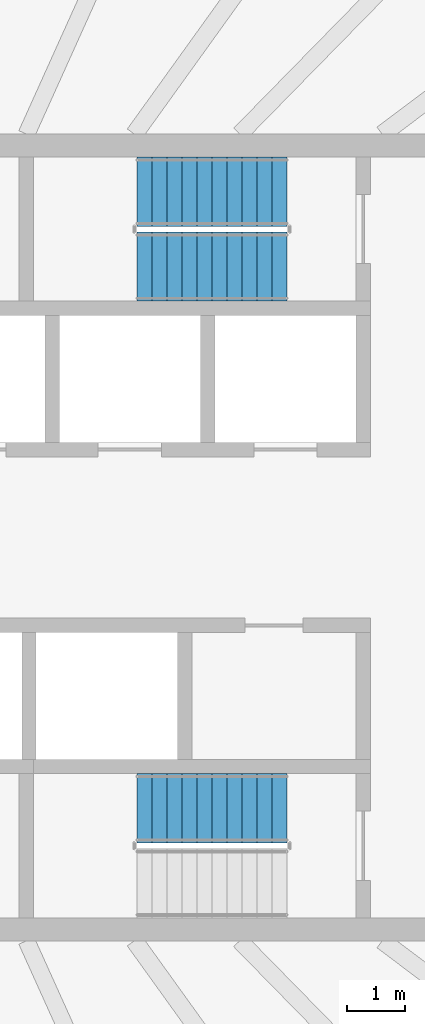
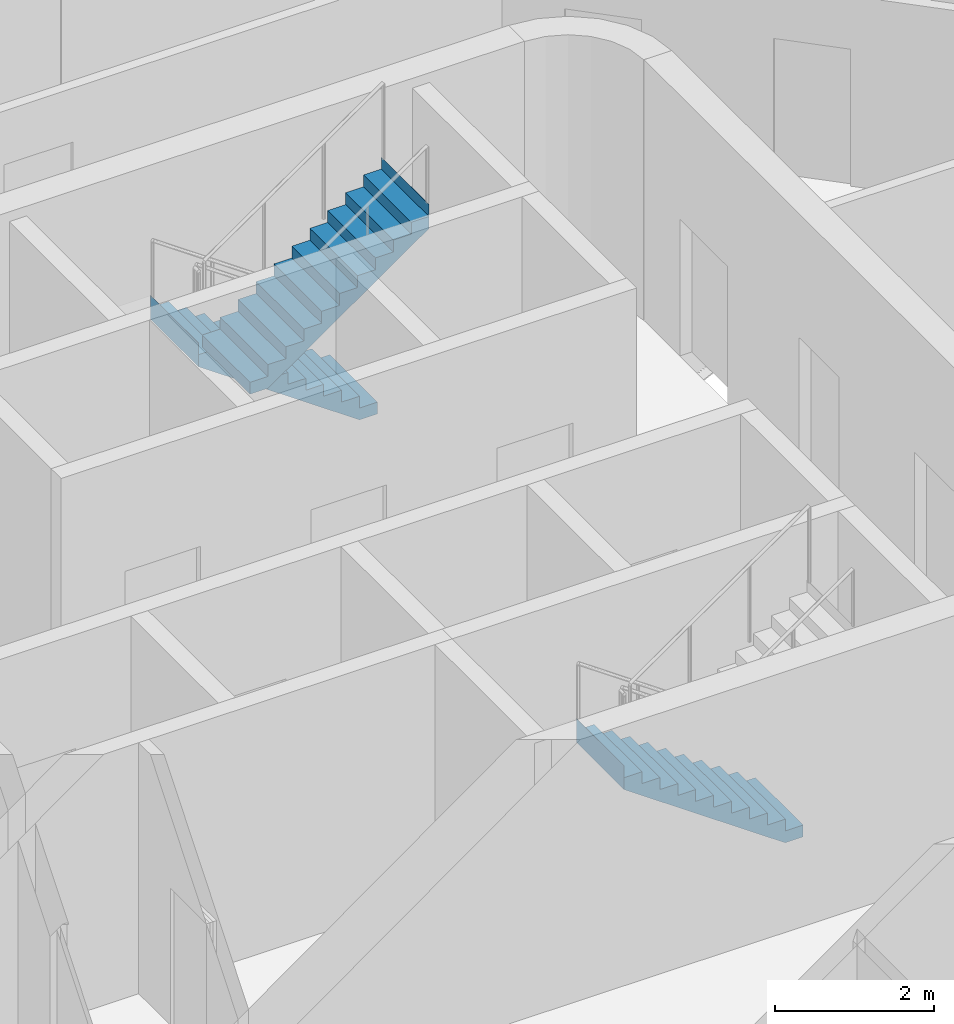
# One storey, part 14 of 21: 3 stair flights, 2 elements without a shape of their own.
"""IFC4 building model written with IfcOpenShell, lengths in metres."""

from ifc_helpers import new_model, si_unit, direction, frame, origin, place, context, subcontext, project, spatial, triangles, material, type_object, element, aggregate, save


model = new_model("IFC4")

# Units and contexts
model_context = context("Model", 3, precision=1e-05, world=origin(), true_north=direction((0.0, 1.0)))
body_context = subcontext(model_context, "Body", "Model", "MODEL_VIEW")
ifc_project = project(units=[si_unit("LENGTHUNIT", "METRE"), si_unit("AREAUNIT", "SQUARE_METRE"), si_unit("VOLUMEUNIT", "CUBIC_METRE"), si_unit("PLANEANGLEUNIT", "RADIAN"), si_unit("MASSUNIT", "GRAM", prefix="KILO")], contexts=[model_context])

# Site, building, storey
site_placement = place(None, origin())
site = spatial("IfcSite", under=ifc_project, at=site_placement, CompositionType="ELEMENT")
building_placement = place(site_placement, origin())
building = spatial("IfcBuilding", under=site, at=building_placement, Name="Sahrelin Media Tower", CompositionType="ELEMENT")
storey_placement = place(building_placement, frame((0.0, 0.0, 259.0)))
storey = spatial("IfcBuildingStorey", under=building, at=storey_placement, Name="L56", CompositionType="ELEMENT", Elevation=259.0)

# Stair, stair flights
ifc_material = material(Name="Concrete C40/50", Category="concrete")
stair_type = type_object("IfcStairType", Name="Exit stair 1200", PredefinedType="HALF_TURN_STAIR", material=ifc_material)
placement = place(storey_placement, origin())
stair_1 = element("IfcStair", 1, at=placement, inside=storey, type_object=stair_type, Name="L56 Exit stair ST3", PredefinedType="HALF_TURN_STAIR")
stair_flight_type = type_object("IfcStairFlightType", Name="Stair flight 1200", PredefinedType="STRAIGHT", material=ifc_material)
stair_flight_1_placement = place(storey_placement, frame((7.675048828125, 6.0, 0.0), z_axis=(0.0, 0.0, 1.0), x_axis=(-1.0, 0.0, 0.0)))
stair_flight_1 = element("IfcStairFlight", 2, at=stair_flight_1_placement, type_object=stair_flight_type, Name="ST3 flight 1", NumberOfRisers=11, NumberOfTreads=10, PredefinedType="STRAIGHT", RiserHeight=0.181818182, TreadLength=0.26, context=body_context, shape_type="Tessellation", body=[
    triangles([(0.261474609375, 0.60009765625, 0.0), (0.261474609375, 0.300048828125, 0.0), (0.261474609375, 0.0, 0.0), (0.261474609375, -0.300048828125, 0.0), (0.261474609375, -0.60009765625, 0.0), (2.60009765625, 0.60009765625, 1.63525390625), (2.60009765625, 0.300048828125, 1.63525390625), (2.60009765625, 0.0, 1.63525390625), (2.60009765625, -0.300048828125, 1.63525390625), (2.60009765625, -0.60009765625, 1.63525390625), (2.60009765625, 0.60009765625, 2.0), (2.60009765625, 0.300048828125, 2.0), (2.60009765625, 0.0, 2.0), (2.60009765625, -0.300048828125, 2.0), (2.60009765625, -0.60009765625, 2.0), (2.597900390625, 0.60009765625, 2.0), (2.597900390625, 0.300048828125, 2.0), (2.597900390625, 0.0, 2.0), (2.597900390625, -0.300048828125, 2.0), (2.597900390625, -0.60009765625, 2.0), (2.597900390625, 0.60009765625, 1.818115234375), (2.597900390625, 0.300048828125, 1.818115234375), (2.597900390625, 0.0, 1.818115234375), (2.597900390625, -0.300048828125, 1.818115234375), (2.597900390625, -0.60009765625, 1.818115234375), (2.340087890625, 0.60009765625, 1.818115234375), (2.340087890625, 0.300048828125, 1.818115234375), (2.340087890625, 0.0, 1.818115234375), (2.340087890625, -0.300048828125, 1.818115234375), (2.340087890625, -0.60009765625, 1.818115234375), (2.340087890625, 0.60009765625, 1.636474609375), (2.340087890625, 0.300048828125, 1.636474609375), (2.340087890625, 0.0, 1.636474609375), (2.340087890625, -0.300048828125, 1.636474609375), (2.340087890625, -0.60009765625, 1.636474609375), (2.080078125, 0.60009765625, 1.636474609375), (2.080078125, 0.300048828125, 1.636474609375), (2.080078125, 0.0, 1.636474609375), (2.080078125, -0.300048828125, 1.636474609375), (2.080078125, -0.60009765625, 1.636474609375), (2.080078125, 0.60009765625, 1.45458984375), (2.080078125, 0.300048828125, 1.45458984375), (2.080078125, 0.0, 1.45458984375), (2.080078125, -0.300048828125, 1.45458984375), (2.080078125, -0.60009765625, 1.45458984375), (1.820068359375, 0.60009765625, 1.45458984375), (1.820068359375, 0.300048828125, 1.45458984375), (1.820068359375, 0.0, 1.45458984375), (1.820068359375, -0.300048828125, 1.45458984375), (1.820068359375, -0.60009765625, 1.45458984375), (1.820068359375, 0.60009765625, 1.272705078125), (1.820068359375, 0.300048828125, 1.272705078125), (1.820068359375, 0.0, 1.272705078125), (1.820068359375, -0.300048828125, 1.272705078125), (1.820068359375, -0.60009765625, 1.272705078125), (1.56005859375, 0.60009765625, 1.272705078125), (1.56005859375, 0.300048828125, 1.272705078125), (1.56005859375, 0.0, 1.272705078125), (1.56005859375, -0.300048828125, 1.272705078125), (1.56005859375, -0.60009765625, 1.272705078125), (1.56005859375, 0.60009765625, 1.0908203125), (1.56005859375, 0.300048828125, 1.0908203125), (1.56005859375, 0.0, 1.0908203125), (1.56005859375, -0.300048828125, 1.0908203125), (1.56005859375, -0.60009765625, 1.0908203125), (1.300048828125, 0.60009765625, 1.0908203125), (1.300048828125, 0.300048828125, 1.0908203125), (1.300048828125, 0.0, 1.0908203125), (1.300048828125, -0.300048828125, 1.0908203125), (1.300048828125, -0.60009765625, 1.0908203125), (1.300048828125, 0.60009765625, 0.9091796875), (1.300048828125, 0.300048828125, 0.9091796875), (1.300048828125, 0.0, 0.9091796875), (1.300048828125, -0.300048828125, 0.9091796875), (1.300048828125, -0.60009765625, 0.9091796875), (1.0400390625, 0.60009765625, 0.9091796875), (1.0400390625, 0.300048828125, 0.9091796875), (1.0400390625, 0.0, 0.9091796875), (1.0400390625, -0.300048828125, 0.9091796875), (1.0400390625, -0.60009765625, 0.9091796875), (1.0400390625, 0.60009765625, 0.727294921875), (1.0400390625, 0.300048828125, 0.727294921875), (1.0400390625, 0.0, 0.727294921875), (1.0400390625, -0.300048828125, 0.727294921875), (1.0400390625, -0.60009765625, 0.727294921875), (0.780029296875, 0.60009765625, 0.727294921875), (0.780029296875, 0.300048828125, 0.727294921875), (0.780029296875, 0.0, 0.727294921875), (0.780029296875, -0.300048828125, 0.727294921875), (0.780029296875, -0.60009765625, 0.727294921875), (0.780029296875, 0.60009765625, 0.54541015625), (0.780029296875, 0.300048828125, 0.54541015625), (0.780029296875, 0.0, 0.54541015625), (0.780029296875, -0.300048828125, 0.54541015625), (0.780029296875, -0.60009765625, 0.54541015625), (0.52001953125, 0.60009765625, 0.54541015625), (0.52001953125, 0.300048828125, 0.54541015625), (0.52001953125, 0.0, 0.54541015625), (0.52001953125, -0.300048828125, 0.54541015625), (0.52001953125, -0.60009765625, 0.54541015625), (0.52001953125, 0.60009765625, 0.363525390625), (0.52001953125, 0.300048828125, 0.363525390625), (0.52001953125, 0.0, 0.363525390625), (0.52001953125, -0.300048828125, 0.363525390625), (0.52001953125, -0.60009765625, 0.363525390625), (0.260009765625, 0.60009765625, 0.363525390625), (0.260009765625, 0.300048828125, 0.363525390625), (0.260009765625, 0.0, 0.363525390625), (0.260009765625, -0.300048828125, 0.363525390625), (0.260009765625, -0.60009765625, 0.363525390625), (0.260009765625, 0.60009765625, 0.181884765625), (0.260009765625, 0.300048828125, 0.181884765625), (0.260009765625, 0.0, 0.181884765625), (0.260009765625, -0.300048828125, 0.181884765625), (0.260009765625, -0.60009765625, 0.181884765625), (0.0, 0.60009765625, 0.181884765625), (0.0, 0.300048828125, 0.181884765625), (0.0, 0.0, 0.181884765625), (0.0, -0.300048828125, 0.181884765625), (0.0, -0.60009765625, 0.181884765625), (0.0, 0.60009765625, 0.0), (0.0, 0.300048828125, 0.0), (0.0, 0.0, 0.0), (0.0, -0.300048828125, 0.0), (0.0, -0.60009765625, 0.0)], [[1, 6, 7], [1, 7, 2], [2, 7, 8], [2, 8, 3], [3, 8, 9], [3, 9, 4], [4, 9, 10], [4, 10, 5], [6, 11, 12], [6, 12, 7], [7, 12, 13], [7, 13, 8], [8, 13, 14], [8, 14, 9], [9, 14, 15], [9, 15, 10], [11, 16, 17], [11, 17, 12], [12, 17, 18], [12, 18, 13], [13, 18, 19], [13, 19, 14], [14, 19, 20], [14, 20, 15], [16, 21, 22], [16, 22, 17], [17, 22, 23], [17, 23, 18], [18, 23, 24], [18, 24, 19], [19, 24, 25], [19, 25, 20], [21, 26, 27], [21, 27, 22], [22, 27, 28], [22, 28, 23], [23, 28, 29], [23, 29, 24], [24, 29, 30], [24, 30, 25], [26, 31, 32], [26, 32, 27], [27, 32, 33], [27, 33, 28], [28, 33, 34], [28, 34, 29], [29, 34, 35], [29, 35, 30], [31, 36, 37], [31, 37, 32], [32, 37, 38], [32, 38, 33], [33, 38, 39], [33, 39, 34], [34, 39, 40], [34, 40, 35], [36, 41, 42], [36, 42, 37], [37, 42, 43], [37, 43, 38], [38, 43, 44], [38, 44, 39], [39, 44, 45], [39, 45, 40], [41, 46, 47], [41, 47, 42], [42, 47, 48], [42, 48, 43], [43, 48, 49], [43, 49, 44], [44, 49, 50], [44, 50, 45], [46, 51, 52], [46, 52, 47], [47, 52, 53], [47, 53, 48], [48, 53, 54], [48, 54, 49], [49, 54, 55], [49, 55, 50], [51, 56, 57], [51, 57, 52], [52, 57, 58], [52, 58, 53], [53, 58, 59], [53, 59, 54], [54, 59, 60], [54, 60, 55], [56, 61, 62], [56, 62, 57], [57, 62, 63], [57, 63, 58], [58, 63, 64], [58, 64, 59], [59, 64, 65], [59, 65, 60], [61, 66, 67], [61, 67, 62], [62, 67, 68], [62, 68, 63], [63, 68, 69], [63, 69, 64], [64, 69, 70], [64, 70, 65], [66, 71, 72], [66, 72, 67], [67, 72, 73], [67, 73, 68], [68, 73, 74], [68, 74, 69], [69, 74, 75], [69, 75, 70], [71, 76, 77], [71, 77, 72], [72, 77, 78], [72, 78, 73], [73, 78, 79], [73, 79, 74], [74, 79, 80], [74, 80, 75], [76, 81, 82], [76, 82, 77], [77, 82, 83], [77, 83, 78], [78, 83, 84], [78, 84, 79], [79, 84, 85], [79, 85, 80], [81, 86, 87], [81, 87, 82], [82, 87, 88], [82, 88, 83], [83, 88, 89], [83, 89, 84], [84, 89, 90], [84, 90, 85], [86, 91, 92], [86, 92, 87], [87, 92, 93], [87, 93, 88], [88, 93, 94], [88, 94, 89], [89, 94, 95], [89, 95, 90], [91, 96, 97], [91, 97, 92], [92, 97, 98], [92, 98, 93], [93, 98, 99], [93, 99, 94], [94, 99, 100], [94, 100, 95], [96, 101, 102], [96, 102, 97], [97, 102, 103], [97, 103, 98], [98, 103, 104], [98, 104, 99], [99, 104, 105], [99, 105, 100], [101, 106, 107], [101, 107, 102], [102, 107, 108], [102, 108, 103], [103, 108, 109], [103, 109, 104], [104, 109, 110], [104, 110, 105], [106, 111, 112], [106, 112, 107], [107, 112, 113], [107, 113, 108], [108, 113, 114], [108, 114, 109], [109, 114, 115], [109, 115, 110], [111, 116, 117], [111, 117, 112], [112, 117, 118], [112, 118, 113], [113, 118, 119], [113, 119, 114], [114, 119, 120], [114, 120, 115], [116, 121, 122], [116, 122, 117], [117, 122, 123], [117, 123, 118], [118, 123, 124], [118, 124, 119], [119, 124, 125], [119, 125, 120], [121, 1, 2], [121, 2, 122], [122, 2, 3], [122, 3, 123], [123, 3, 4], [123, 4, 124], [124, 4, 5], [124, 5, 125], [115, 120, 125], [111, 121, 116], [115, 105, 110], [111, 106, 101], [105, 95, 100], [101, 96, 91], [95, 85, 90], [91, 86, 81], [85, 75, 80], [81, 76, 71], [75, 65, 70], [71, 66, 61], [65, 55, 60], [61, 56, 51], [55, 45, 50], [51, 46, 41], [45, 35, 40], [41, 36, 31], [35, 25, 30], [31, 26, 21], [25, 15, 20], [21, 16, 11], [125, 5, 115], [121, 111, 1], [25, 10, 15], [21, 11, 6], [105, 115, 5], [101, 1, 111], [35, 10, 25], [31, 21, 6], [95, 105, 5], [91, 1, 101], [45, 10, 35], [41, 31, 6], [85, 95, 5], [81, 1, 91], [55, 10, 45], [51, 41, 6], [75, 85, 5], [71, 1, 81], [65, 10, 55], [61, 51, 6], [5, 10, 75], [1, 71, 6], [75, 10, 65], [71, 61, 6]], closed=True),
])
stair_flight_2_placement = place(storey_placement, frame((5.074951171875, 4.699951171875, 2.0), z_axis=(0.0, 0.0, 1.0), x_axis=(1.0, 0.0, 0.0)))
stair_flight_2 = element("IfcStairFlight", 3, at=stair_flight_2_placement, type_object=stair_flight_type, Name="ST3 flight 2", NumberOfRisers=11, NumberOfTreads=10, PredefinedType="STRAIGHT", RiserHeight=0.181818182, TreadLength=0.26, context=body_context, shape_type="Tessellation", body=[
    triangles([(0.261474609375, 0.60009765625, 0.0), (0.261474609375, 0.300048828125, 0.0), (0.261474609375, 0.0, 0.0), (0.261474609375, -0.300048828125, 0.0), (0.261474609375, -0.60009765625, 0.0), (2.60009765625, 0.60009765625, 1.63525390625), (2.60009765625, 0.300048828125, 1.63525390625), (2.60009765625, 0.0, 1.63525390625), (2.60009765625, -0.300048828125, 1.63525390625), (2.60009765625, -0.60009765625, 1.63525390625), (2.60009765625, 0.60009765625, 2.0), (2.60009765625, 0.300048828125, 2.0), (2.60009765625, 0.0, 2.0), (2.60009765625, -0.300048828125, 2.0), (2.60009765625, -0.60009765625, 2.0), (2.597900390625, 0.60009765625, 2.0), (2.597900390625, 0.300048828125, 2.0), (2.597900390625, 0.0, 2.0), (2.597900390625, -0.300048828125, 2.0), (2.597900390625, -0.60009765625, 2.0), (2.597900390625, 0.60009765625, 1.818115234375), (2.597900390625, 0.300048828125, 1.818115234375), (2.597900390625, 0.0, 1.818115234375), (2.597900390625, -0.300048828125, 1.818115234375), (2.597900390625, -0.60009765625, 1.818115234375), (2.340087890625, 0.60009765625, 1.818115234375), (2.340087890625, 0.300048828125, 1.818115234375), (2.340087890625, 0.0, 1.818115234375), (2.340087890625, -0.300048828125, 1.818115234375), (2.340087890625, -0.60009765625, 1.818115234375), (2.340087890625, 0.60009765625, 1.636474609375), (2.340087890625, 0.300048828125, 1.636474609375), (2.340087890625, 0.0, 1.636474609375), (2.340087890625, -0.300048828125, 1.636474609375), (2.340087890625, -0.60009765625, 1.636474609375), (2.080078125, 0.60009765625, 1.636474609375), (2.080078125, 0.300048828125, 1.636474609375), (2.080078125, 0.0, 1.636474609375), (2.080078125, -0.300048828125, 1.636474609375), (2.080078125, -0.60009765625, 1.636474609375), (2.080078125, 0.60009765625, 1.45458984375), (2.080078125, 0.300048828125, 1.45458984375), (2.080078125, 0.0, 1.45458984375), (2.080078125, -0.300048828125, 1.45458984375), (2.080078125, -0.60009765625, 1.45458984375), (1.820068359375, 0.60009765625, 1.45458984375), (1.820068359375, 0.300048828125, 1.45458984375), (1.820068359375, 0.0, 1.45458984375), (1.820068359375, -0.300048828125, 1.45458984375), (1.820068359375, -0.60009765625, 1.45458984375), (1.820068359375, 0.60009765625, 1.272705078125), (1.820068359375, 0.300048828125, 1.272705078125), (1.820068359375, 0.0, 1.272705078125), (1.820068359375, -0.300048828125, 1.272705078125), (1.820068359375, -0.60009765625, 1.272705078125), (1.56005859375, 0.60009765625, 1.272705078125), (1.56005859375, 0.300048828125, 1.272705078125), (1.56005859375, 0.0, 1.272705078125), (1.56005859375, -0.300048828125, 1.272705078125), (1.56005859375, -0.60009765625, 1.272705078125), (1.56005859375, 0.60009765625, 1.0908203125), (1.56005859375, 0.300048828125, 1.0908203125), (1.56005859375, 0.0, 1.0908203125), (1.56005859375, -0.300048828125, 1.0908203125), (1.56005859375, -0.60009765625, 1.0908203125), (1.300048828125, 0.60009765625, 1.0908203125), (1.300048828125, 0.300048828125, 1.0908203125), (1.300048828125, 0.0, 1.0908203125), (1.300048828125, -0.300048828125, 1.0908203125), (1.300048828125, -0.60009765625, 1.0908203125), (1.300048828125, 0.60009765625, 0.9091796875), (1.300048828125, 0.300048828125, 0.9091796875), (1.300048828125, 0.0, 0.9091796875), (1.300048828125, -0.300048828125, 0.9091796875), (1.300048828125, -0.60009765625, 0.9091796875), (1.0400390625, 0.60009765625, 0.9091796875), (1.0400390625, 0.300048828125, 0.9091796875), (1.0400390625, 0.0, 0.9091796875), (1.0400390625, -0.300048828125, 0.9091796875), (1.0400390625, -0.60009765625, 0.9091796875), (1.0400390625, 0.60009765625, 0.727294921875), (1.0400390625, 0.300048828125, 0.727294921875), (1.0400390625, 0.0, 0.727294921875), (1.0400390625, -0.300048828125, 0.727294921875), (1.0400390625, -0.60009765625, 0.727294921875), (0.780029296875, 0.60009765625, 0.727294921875), (0.780029296875, 0.300048828125, 0.727294921875), (0.780029296875, 0.0, 0.727294921875), (0.780029296875, -0.300048828125, 0.727294921875), (0.780029296875, -0.60009765625, 0.727294921875), (0.780029296875, 0.60009765625, 0.54541015625), (0.780029296875, 0.300048828125, 0.54541015625), (0.780029296875, 0.0, 0.54541015625), (0.780029296875, -0.300048828125, 0.54541015625), (0.780029296875, -0.60009765625, 0.54541015625), (0.52001953125, 0.60009765625, 0.54541015625), (0.52001953125, 0.300048828125, 0.54541015625), (0.52001953125, 0.0, 0.54541015625), (0.52001953125, -0.300048828125, 0.54541015625), (0.52001953125, -0.60009765625, 0.54541015625), (0.52001953125, 0.60009765625, 0.363525390625), (0.52001953125, 0.300048828125, 0.363525390625), (0.52001953125, 0.0, 0.363525390625), (0.52001953125, -0.300048828125, 0.363525390625), (0.52001953125, -0.60009765625, 0.363525390625), (0.260009765625, 0.60009765625, 0.363525390625), (0.260009765625, 0.300048828125, 0.363525390625), (0.260009765625, 0.0, 0.363525390625), (0.260009765625, -0.300048828125, 0.363525390625), (0.260009765625, -0.60009765625, 0.363525390625), (0.260009765625, 0.60009765625, 0.181884765625), (0.260009765625, 0.300048828125, 0.181884765625), (0.260009765625, 0.0, 0.181884765625), (0.260009765625, -0.300048828125, 0.181884765625), (0.260009765625, -0.60009765625, 0.181884765625), (0.0, 0.60009765625, 0.181884765625), (0.0, 0.300048828125, 0.181884765625), (0.0, 0.0, 0.181884765625), (0.0, -0.300048828125, 0.181884765625), (0.0, -0.60009765625, 0.181884765625), (0.0, 0.60009765625, 0.0), (0.0, 0.300048828125, 0.0), (0.0, 0.0, 0.0), (0.0, -0.300048828125, 0.0), (0.0, -0.60009765625, 0.0)], [[1, 6, 7], [1, 7, 2], [2, 7, 8], [2, 8, 3], [3, 8, 9], [3, 9, 4], [4, 9, 10], [4, 10, 5], [6, 11, 12], [6, 12, 7], [7, 12, 13], [7, 13, 8], [8, 13, 14], [8, 14, 9], [9, 14, 15], [9, 15, 10], [11, 16, 17], [11, 17, 12], [12, 17, 18], [12, 18, 13], [13, 18, 19], [13, 19, 14], [14, 19, 20], [14, 20, 15], [16, 21, 22], [16, 22, 17], [17, 22, 23], [17, 23, 18], [18, 23, 24], [18, 24, 19], [19, 24, 25], [19, 25, 20], [21, 26, 27], [21, 27, 22], [22, 27, 28], [22, 28, 23], [23, 28, 29], [23, 29, 24], [24, 29, 30], [24, 30, 25], [26, 31, 32], [26, 32, 27], [27, 32, 33], [27, 33, 28], [28, 33, 34], [28, 34, 29], [29, 34, 35], [29, 35, 30], [31, 36, 37], [31, 37, 32], [32, 37, 38], [32, 38, 33], [33, 38, 39], [33, 39, 34], [34, 39, 40], [34, 40, 35], [36, 41, 42], [36, 42, 37], [37, 42, 43], [37, 43, 38], [38, 43, 44], [38, 44, 39], [39, 44, 45], [39, 45, 40], [41, 46, 47], [41, 47, 42], [42, 47, 48], [42, 48, 43], [43, 48, 49], [43, 49, 44], [44, 49, 50], [44, 50, 45], [46, 51, 52], [46, 52, 47], [47, 52, 53], [47, 53, 48], [48, 53, 54], [48, 54, 49], [49, 54, 55], [49, 55, 50], [51, 56, 57], [51, 57, 52], [52, 57, 58], [52, 58, 53], [53, 58, 59], [53, 59, 54], [54, 59, 60], [54, 60, 55], [56, 61, 62], [56, 62, 57], [57, 62, 63], [57, 63, 58], [58, 63, 64], [58, 64, 59], [59, 64, 65], [59, 65, 60], [61, 66, 67], [61, 67, 62], [62, 67, 68], [62, 68, 63], [63, 68, 69], [63, 69, 64], [64, 69, 70], [64, 70, 65], [66, 71, 72], [66, 72, 67], [67, 72, 73], [67, 73, 68], [68, 73, 74], [68, 74, 69], [69, 74, 75], [69, 75, 70], [71, 76, 77], [71, 77, 72], [72, 77, 78], [72, 78, 73], [73, 78, 79], [73, 79, 74], [74, 79, 80], [74, 80, 75], [76, 81, 82], [76, 82, 77], [77, 82, 83], [77, 83, 78], [78, 83, 84], [78, 84, 79], [79, 84, 85], [79, 85, 80], [81, 86, 87], [81, 87, 82], [82, 87, 88], [82, 88, 83], [83, 88, 89], [83, 89, 84], [84, 89, 90], [84, 90, 85], [86, 91, 92], [86, 92, 87], [87, 92, 93], [87, 93, 88], [88, 93, 94], [88, 94, 89], [89, 94, 95], [89, 95, 90], [91, 96, 97], [91, 97, 92], [92, 97, 98], [92, 98, 93], [93, 98, 99], [93, 99, 94], [94, 99, 100], [94, 100, 95], [96, 101, 102], [96, 102, 97], [97, 102, 103], [97, 103, 98], [98, 103, 104], [98, 104, 99], [99, 104, 105], [99, 105, 100], [101, 106, 107], [101, 107, 102], [102, 107, 108], [102, 108, 103], [103, 108, 109], [103, 109, 104], [104, 109, 110], [104, 110, 105], [106, 111, 112], [106, 112, 107], [107, 112, 113], [107, 113, 108], [108, 113, 114], [108, 114, 109], [109, 114, 115], [109, 115, 110], [111, 116, 117], [111, 117, 112], [112, 117, 118], [112, 118, 113], [113, 118, 119], [113, 119, 114], [114, 119, 120], [114, 120, 115], [116, 121, 122], [116, 122, 117], [117, 122, 123], [117, 123, 118], [118, 123, 124], [118, 124, 119], [119, 124, 125], [119, 125, 120], [121, 1, 2], [121, 2, 122], [122, 2, 3], [122, 3, 123], [123, 3, 4], [123, 4, 124], [124, 4, 5], [124, 5, 125], [115, 120, 125], [111, 121, 116], [115, 105, 110], [111, 106, 101], [105, 95, 100], [101, 96, 91], [95, 85, 90], [91, 86, 81], [85, 75, 80], [81, 76, 71], [75, 65, 70], [71, 66, 61], [65, 55, 60], [61, 56, 51], [55, 45, 50], [51, 46, 41], [45, 35, 40], [41, 36, 31], [35, 25, 30], [31, 26, 21], [25, 15, 20], [21, 16, 11], [125, 5, 115], [121, 111, 1], [25, 10, 15], [21, 11, 6], [105, 115, 5], [101, 1, 111], [35, 10, 25], [31, 21, 6], [95, 105, 5], [91, 1, 101], [45, 10, 35], [41, 31, 6], [85, 95, 5], [81, 1, 91], [55, 10, 45], [51, 41, 6], [75, 85, 5], [71, 1, 81], [65, 10, 55], [61, 51, 6], [5, 10, 75], [1, 71, 6], [75, 10, 65], [71, 61, 6]], closed=True),
])
aggregate(stair_1, [stair_flight_1, stair_flight_2])

# Stair, stair flight
stair_2 = element("IfcStair", 4, at=placement, inside=storey, type_object=stair_type, Name="L56 Exit stair ST2", PredefinedType="HALF_TURN_STAIR")
stair_flight_3_placement = place(storey_placement, frame((7.675048828125, -4.699951171875, 0.0), z_axis=(0.0, 0.0, 1.0), x_axis=(-1.0, 0.0, 0.0)))
stair_flight_3 = element("IfcStairFlight", 5, at=stair_flight_3_placement, type_object=stair_flight_type, Name="ST2 flight 1", NumberOfRisers=11, NumberOfTreads=10, PredefinedType="STRAIGHT", RiserHeight=0.181818182, TreadLength=0.26, context=body_context, shape_type="Tessellation", body=[
    triangles([(0.261474609375, 0.60009765625, 0.0), (0.261474609375, 0.300048828125, 0.0), (0.261474609375, 0.0, 0.0), (0.261474609375, -0.300048828125, 0.0), (0.261474609375, -0.60009765625, 0.0), (2.60009765625, 0.60009765625, 1.63525390625), (2.60009765625, 0.300048828125, 1.63525390625), (2.60009765625, 0.0, 1.63525390625), (2.60009765625, -0.300048828125, 1.63525390625), (2.60009765625, -0.60009765625, 1.63525390625), (2.60009765625, 0.60009765625, 2.0), (2.60009765625, 0.300048828125, 2.0), (2.60009765625, 0.0, 2.0), (2.60009765625, -0.300048828125, 2.0), (2.60009765625, -0.60009765625, 2.0), (2.597900390625, 0.60009765625, 2.0), (2.597900390625, 0.300048828125, 2.0), (2.597900390625, 0.0, 2.0), (2.597900390625, -0.300048828125, 2.0), (2.597900390625, -0.60009765625, 2.0), (2.597900390625, 0.60009765625, 1.818115234375), (2.597900390625, 0.300048828125, 1.818115234375), (2.597900390625, 0.0, 1.818115234375), (2.597900390625, -0.300048828125, 1.818115234375), (2.597900390625, -0.60009765625, 1.818115234375), (2.340087890625, 0.60009765625, 1.818115234375), (2.340087890625, 0.300048828125, 1.818115234375), (2.340087890625, 0.0, 1.818115234375), (2.340087890625, -0.300048828125, 1.818115234375), (2.340087890625, -0.60009765625, 1.818115234375), (2.340087890625, 0.60009765625, 1.636474609375), (2.340087890625, 0.300048828125, 1.636474609375), (2.340087890625, 0.0, 1.636474609375), (2.340087890625, -0.300048828125, 1.636474609375), (2.340087890625, -0.60009765625, 1.636474609375), (2.080078125, 0.60009765625, 1.636474609375), (2.080078125, 0.300048828125, 1.636474609375), (2.080078125, 0.0, 1.636474609375), (2.080078125, -0.300048828125, 1.636474609375), (2.080078125, -0.60009765625, 1.636474609375), (2.080078125, 0.60009765625, 1.45458984375), (2.080078125, 0.300048828125, 1.45458984375), (2.080078125, 0.0, 1.45458984375), (2.080078125, -0.300048828125, 1.45458984375), (2.080078125, -0.60009765625, 1.45458984375), (1.820068359375, 0.60009765625, 1.45458984375), (1.820068359375, 0.300048828125, 1.45458984375), (1.820068359375, 0.0, 1.45458984375), (1.820068359375, -0.300048828125, 1.45458984375), (1.820068359375, -0.60009765625, 1.45458984375), (1.820068359375, 0.60009765625, 1.272705078125), (1.820068359375, 0.300048828125, 1.272705078125), (1.820068359375, 0.0, 1.272705078125), (1.820068359375, -0.300048828125, 1.272705078125), (1.820068359375, -0.60009765625, 1.272705078125), (1.56005859375, 0.60009765625, 1.272705078125), (1.56005859375, 0.300048828125, 1.272705078125), (1.56005859375, 0.0, 1.272705078125), (1.56005859375, -0.300048828125, 1.272705078125), (1.56005859375, -0.60009765625, 1.272705078125), (1.56005859375, 0.60009765625, 1.0908203125), (1.56005859375, 0.300048828125, 1.0908203125), (1.56005859375, 0.0, 1.0908203125), (1.56005859375, -0.300048828125, 1.0908203125), (1.56005859375, -0.60009765625, 1.0908203125), (1.300048828125, 0.60009765625, 1.0908203125), (1.300048828125, 0.300048828125, 1.0908203125), (1.300048828125, 0.0, 1.0908203125), (1.300048828125, -0.300048828125, 1.0908203125), (1.300048828125, -0.60009765625, 1.0908203125), (1.300048828125, 0.60009765625, 0.9091796875), (1.300048828125, 0.300048828125, 0.9091796875), (1.300048828125, 0.0, 0.9091796875), (1.300048828125, -0.300048828125, 0.9091796875), (1.300048828125, -0.60009765625, 0.9091796875), (1.0400390625, 0.60009765625, 0.9091796875), (1.0400390625, 0.300048828125, 0.9091796875), (1.0400390625, 0.0, 0.9091796875), (1.0400390625, -0.300048828125, 0.9091796875), (1.0400390625, -0.60009765625, 0.9091796875), (1.0400390625, 0.60009765625, 0.727294921875), (1.0400390625, 0.300048828125, 0.727294921875), (1.0400390625, 0.0, 0.727294921875), (1.0400390625, -0.300048828125, 0.727294921875), (1.0400390625, -0.60009765625, 0.727294921875), (0.780029296875, 0.60009765625, 0.727294921875), (0.780029296875, 0.300048828125, 0.727294921875), (0.780029296875, 0.0, 0.727294921875), (0.780029296875, -0.300048828125, 0.727294921875), (0.780029296875, -0.60009765625, 0.727294921875), (0.780029296875, 0.60009765625, 0.54541015625), (0.780029296875, 0.300048828125, 0.54541015625), (0.780029296875, 0.0, 0.54541015625), (0.780029296875, -0.300048828125, 0.54541015625), (0.780029296875, -0.60009765625, 0.54541015625), (0.52001953125, 0.60009765625, 0.54541015625), (0.52001953125, 0.300048828125, 0.54541015625), (0.52001953125, 0.0, 0.54541015625), (0.52001953125, -0.300048828125, 0.54541015625), (0.52001953125, -0.60009765625, 0.54541015625), (0.52001953125, 0.60009765625, 0.363525390625), (0.52001953125, 0.300048828125, 0.363525390625), (0.52001953125, 0.0, 0.363525390625), (0.52001953125, -0.300048828125, 0.363525390625), (0.52001953125, -0.60009765625, 0.363525390625), (0.260009765625, 0.60009765625, 0.363525390625), (0.260009765625, 0.300048828125, 0.363525390625), (0.260009765625, 0.0, 0.363525390625), (0.260009765625, -0.300048828125, 0.363525390625), (0.260009765625, -0.60009765625, 0.363525390625), (0.260009765625, 0.60009765625, 0.181884765625), (0.260009765625, 0.300048828125, 0.181884765625), (0.260009765625, 0.0, 0.181884765625), (0.260009765625, -0.300048828125, 0.181884765625), (0.260009765625, -0.60009765625, 0.181884765625), (0.0, 0.60009765625, 0.181884765625), (0.0, 0.300048828125, 0.181884765625), (0.0, 0.0, 0.181884765625), (0.0, -0.300048828125, 0.181884765625), (0.0, -0.60009765625, 0.181884765625), (0.0, 0.60009765625, 0.0), (0.0, 0.300048828125, 0.0), (0.0, 0.0, 0.0), (0.0, -0.300048828125, 0.0), (0.0, -0.60009765625, 0.0)], [[1, 6, 7], [1, 7, 2], [2, 7, 8], [2, 8, 3], [3, 8, 9], [3, 9, 4], [4, 9, 10], [4, 10, 5], [6, 11, 12], [6, 12, 7], [7, 12, 13], [7, 13, 8], [8, 13, 14], [8, 14, 9], [9, 14, 15], [9, 15, 10], [11, 16, 17], [11, 17, 12], [12, 17, 18], [12, 18, 13], [13, 18, 19], [13, 19, 14], [14, 19, 20], [14, 20, 15], [16, 21, 22], [16, 22, 17], [17, 22, 23], [17, 23, 18], [18, 23, 24], [18, 24, 19], [19, 24, 25], [19, 25, 20], [21, 26, 27], [21, 27, 22], [22, 27, 28], [22, 28, 23], [23, 28, 29], [23, 29, 24], [24, 29, 30], [24, 30, 25], [26, 31, 32], [26, 32, 27], [27, 32, 33], [27, 33, 28], [28, 33, 34], [28, 34, 29], [29, 34, 35], [29, 35, 30], [31, 36, 37], [31, 37, 32], [32, 37, 38], [32, 38, 33], [33, 38, 39], [33, 39, 34], [34, 39, 40], [34, 40, 35], [36, 41, 42], [36, 42, 37], [37, 42, 43], [37, 43, 38], [38, 43, 44], [38, 44, 39], [39, 44, 45], [39, 45, 40], [41, 46, 47], [41, 47, 42], [42, 47, 48], [42, 48, 43], [43, 48, 49], [43, 49, 44], [44, 49, 50], [44, 50, 45], [46, 51, 52], [46, 52, 47], [47, 52, 53], [47, 53, 48], [48, 53, 54], [48, 54, 49], [49, 54, 55], [49, 55, 50], [51, 56, 57], [51, 57, 52], [52, 57, 58], [52, 58, 53], [53, 58, 59], [53, 59, 54], [54, 59, 60], [54, 60, 55], [56, 61, 62], [56, 62, 57], [57, 62, 63], [57, 63, 58], [58, 63, 64], [58, 64, 59], [59, 64, 65], [59, 65, 60], [61, 66, 67], [61, 67, 62], [62, 67, 68], [62, 68, 63], [63, 68, 69], [63, 69, 64], [64, 69, 70], [64, 70, 65], [66, 71, 72], [66, 72, 67], [67, 72, 73], [67, 73, 68], [68, 73, 74], [68, 74, 69], [69, 74, 75], [69, 75, 70], [71, 76, 77], [71, 77, 72], [72, 77, 78], [72, 78, 73], [73, 78, 79], [73, 79, 74], [74, 79, 80], [74, 80, 75], [76, 81, 82], [76, 82, 77], [77, 82, 83], [77, 83, 78], [78, 83, 84], [78, 84, 79], [79, 84, 85], [79, 85, 80], [81, 86, 87], [81, 87, 82], [82, 87, 88], [82, 88, 83], [83, 88, 89], [83, 89, 84], [84, 89, 90], [84, 90, 85], [86, 91, 92], [86, 92, 87], [87, 92, 93], [87, 93, 88], [88, 93, 94], [88, 94, 89], [89, 94, 95], [89, 95, 90], [91, 96, 97], [91, 97, 92], [92, 97, 98], [92, 98, 93], [93, 98, 99], [93, 99, 94], [94, 99, 100], [94, 100, 95], [96, 101, 102], [96, 102, 97], [97, 102, 103], [97, 103, 98], [98, 103, 104], [98, 104, 99], [99, 104, 105], [99, 105, 100], [101, 106, 107], [101, 107, 102], [102, 107, 108], [102, 108, 103], [103, 108, 109], [103, 109, 104], [104, 109, 110], [104, 110, 105], [106, 111, 112], [106, 112, 107], [107, 112, 113], [107, 113, 108], [108, 113, 114], [108, 114, 109], [109, 114, 115], [109, 115, 110], [111, 116, 117], [111, 117, 112], [112, 117, 118], [112, 118, 113], [113, 118, 119], [113, 119, 114], [114, 119, 120], [114, 120, 115], [116, 121, 122], [116, 122, 117], [117, 122, 123], [117, 123, 118], [118, 123, 124], [118, 124, 119], [119, 124, 125], [119, 125, 120], [121, 1, 2], [121, 2, 122], [122, 2, 3], [122, 3, 123], [123, 3, 4], [123, 4, 124], [124, 4, 5], [124, 5, 125], [115, 120, 125], [111, 121, 116], [115, 105, 110], [111, 106, 101], [105, 95, 100], [101, 96, 91], [95, 85, 90], [91, 86, 81], [85, 75, 80], [81, 76, 71], [75, 65, 70], [71, 66, 61], [65, 55, 60], [61, 56, 51], [55, 45, 50], [51, 46, 41], [45, 35, 40], [41, 36, 31], [35, 25, 30], [31, 26, 21], [25, 15, 20], [21, 16, 11], [125, 5, 115], [121, 111, 1], [25, 10, 15], [21, 11, 6], [105, 115, 5], [101, 1, 111], [35, 10, 25], [31, 21, 6], [95, 105, 5], [91, 1, 101], [45, 10, 35], [41, 31, 6], [85, 95, 5], [81, 1, 91], [55, 10, 45], [51, 41, 6], [75, 85, 5], [71, 1, 81], [65, 10, 55], [61, 51, 6], [5, 10, 75], [1, 71, 6], [75, 10, 65], [71, 61, 6]], closed=True),
])
aggregate(stair_2, [stair_flight_3])

save(model, "model.ifc")
